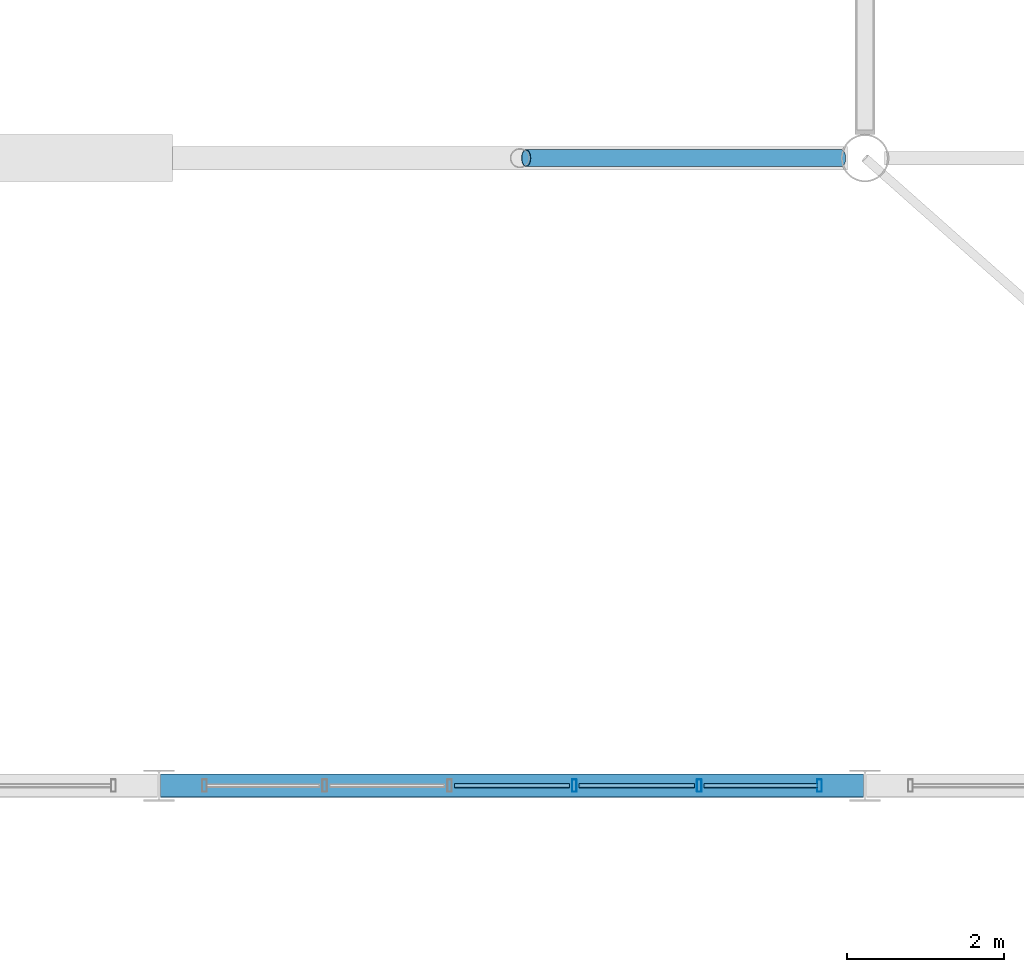
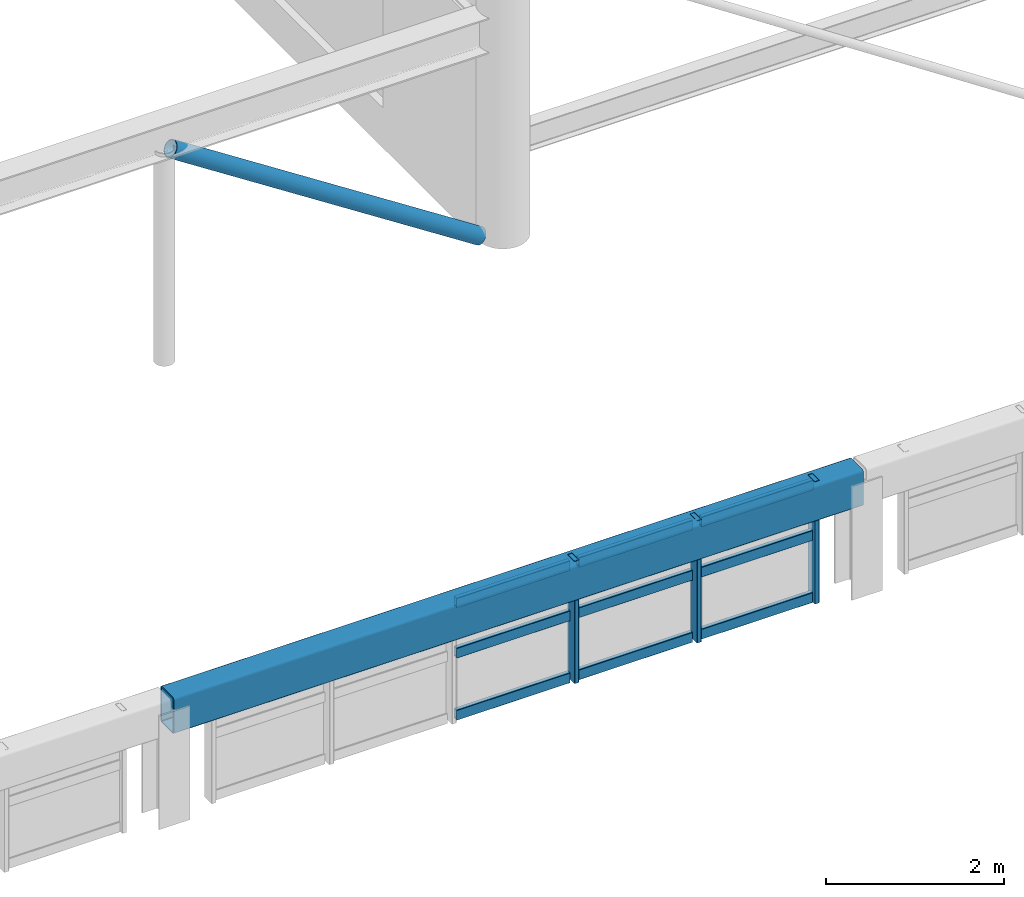
# One storey, part 17 of 128: 13 members, 1 beam, 1 element without a shape of its own.
"""IFC4 building model written with IfcOpenShell, lengths in metres."""

from ifc_helpers import new_model, si_unit, derived_unit, direction, frame, origin, origin_2d, place, context, subcontext, project, spatial, hollow_rectangle, hollow_circle, extrude, material, material_profile, profile_set, type_object, element, aggregate, save


model = new_model("IFC4")

# Units and contexts
model_context = context("Model", 3, precision=1e-05, world=origin(), true_north=direction((0.0, 1.0)))
body_context = subcontext(model_context, "Body", "Model", "MODEL_VIEW")
ifc_project = project(units=[si_unit("LENGTHUNIT", "METRE"), si_unit("AREAUNIT", "SQUARE_METRE"), si_unit("VOLUMEUNIT", "CUBIC_METRE"), si_unit("PLANEANGLEUNIT", "RADIAN"), si_unit("MASSUNIT", "GRAM", prefix="KILO"), derived_unit("THERMALTRANSMITTANCEUNIT", [(si_unit("MASSUNIT", "GRAM", prefix="KILO"), 1), (si_unit("TIMEUNIT", "SECOND"), -3), (si_unit("THERMODYNAMICTEMPERATUREUNIT", "KELVIN"), -1)])], contexts=[model_context])

# Site, building, storey
site_placement = place(None, origin())
site = spatial("IfcSite", under=ifc_project, at=site_placement, CompositionType="ELEMENT")
building_placement = place(site_placement, origin())
building = spatial("IfcBuilding", under=site, at=building_placement, Name="Zhenchuan Archway Interchange", CompositionType="ELEMENT")
storey_placement = place(building_placement, frame((0.0, 0.0, 14.39990234375)))
storey = spatial("IfcBuildingStorey", under=building, at=storey_placement, Name="L03", CompositionType="ELEMENT", Elevation=14.39990234375)

# Beam
ifc_material_1 = material(Name="Steel Q390", Category="steel")
ifc_material_profile_1 = material_profile(ifc_material_1, hollow_rectangle(XDim=0.300048828125, YDim=0.5, WallThickness=0.01611328125, InnerFilletRadius=0.01611328125, OuterFilletRadius=0.031982421875, at=origin_2d()), Name="RHS 500x300x16")
ifc_profile_set_1 = profile_set([ifc_material_profile_1], Name="Steel Q390")
beam_type = type_object("IfcBeamType", Name="BM_RING_RHS500", PredefinedType="BEAM", material=ifc_profile_set_1)
beam_placement = place(storey_placement, frame((54.02001953125, 24.0, 1.4501953125), z_axis=(1.0, 0.0, 0.0), x_axis=(0.0, 1.0, 0.0)))
element("IfcBeam", 1, at=beam_placement, inside=storey, type_object=beam_type, Name="CONCOURSE CABLE-NET RING BEAM S-4", PredefinedType="BEAM", context=body_context, shape_type="SweptSolid", body=[
    extrude(hollow_rectangle(XDim=0.300048828125, YDim=0.5, WallThickness=0.01611328125, InnerFilletRadius=0.01611328125, OuterFilletRadius=0.031982421875, at=origin_2d()), origin(), (0.0, 0.0, 1.0), 8.9599609375),
])

# Curtain wall, members
ifc_material_2 = material(Name="Anodised Aluminium", Category="aluminium")
curtain_wall_type = type_object("IfcCurtainWallType", Name="CW_UNIT_4", PredefinedType="NOTDEFINED", material=ifc_material_2)
curtain_wall_placement = place(storey_placement, origin())
curtain_wall = element("IfcCurtainWall", 2, at=curtain_wall_placement, inside=storey, type_object=curtain_wall_type, Name="Unitised curtain wall CW:L03:RING-S4", PredefinedType="NOTDEFINED")
ifc_material_profile_2 = material_profile(ifc_material_2, hollow_rectangle(XDim=0.06005859375, YDim=0.159912109375, WallThickness=0.00390625, InnerFilletRadius=0.00390625, OuterFilletRadius=0.008056640625, at=origin_2d()), Name="ALU 160x60x4")
ifc_profile_set_2 = profile_set([ifc_material_profile_2], Name="Anodised Aluminium")
member_type_1 = type_object("IfcMemberType", Name="CW_MUL_150", PredefinedType="MULLION", material=ifc_profile_set_2)
member_1_placement = place(storey_placement, frame((59.2958984375, 24.0, 0.02001953125), z_axis=(0.0, 0.0, 1.0), x_axis=(1.0, 0.0, 0.0)))
member_1 = element("IfcMember", 3, at=member_1_placement, type_object=member_type_1, Name="CW:L03:RING-S4 mullion 3", PredefinedType="MULLION", context=body_context, shape_type="SweptSolid", body=[
    extrude(hollow_rectangle(XDim=0.06005859375, YDim=0.159912109375, WallThickness=0.00390625, InnerFilletRadius=0.00390625, OuterFilletRadius=0.008056640625, at=origin_2d()), origin(), (0.0, 0.0, 1.0), 1.68017578125),
])
member_2_placement = place(storey_placement, frame((60.887939453125, 24.0, 0.02001953125), z_axis=(0.0, 0.0, 1.0), x_axis=(1.0, 0.0, 0.0)))
member_2 = element("IfcMember", 4, at=member_2_placement, type_object=member_type_1, Name="CW:L03:RING-S4 mullion 4", PredefinedType="MULLION", context=body_context, shape_type="SweptSolid", body=[
    extrude(hollow_rectangle(XDim=0.06005859375, YDim=0.159912109375, WallThickness=0.00390625, InnerFilletRadius=0.00390625, OuterFilletRadius=0.008056640625, at=origin_2d()), origin(), (0.0, 0.0, 1.0), 1.68017578125),
])
member_3_placement = place(storey_placement, frame((62.419921875, 24.0, 0.02001953125), z_axis=(0.0, 0.0, 1.0), x_axis=(1.0, 0.0, 0.0)))
member_3 = element("IfcMember", 5, at=member_3_placement, type_object=member_type_1, Name="CW:L03:RING-S4 mullion 5", PredefinedType="MULLION", context=body_context, shape_type="SweptSolid", body=[
    extrude(hollow_rectangle(XDim=0.06005859375, YDim=0.159912109375, WallThickness=0.00390625, InnerFilletRadius=0.00390625, OuterFilletRadius=0.008056640625, at=origin_2d()), origin(), (0.0, 0.0, 1.0), 1.68017578125),
])
ifc_material_profile_3 = material_profile(ifc_material_2, hollow_rectangle(XDim=0.06005859375, YDim=0.139892578125, WallThickness=0.00341796875, InnerFilletRadius=0.00341796875, OuterFilletRadius=0.007080078125, at=origin_2d()), Name="ALU 140x60x3.5")
ifc_profile_set_3 = profile_set([ifc_material_profile_3], Name="Anodised Aluminium")
member_type_2 = type_object("IfcMemberType", Name="CW_TRN_140", PredefinedType="USERDEFINED", material=ifc_profile_set_3)
member_4_placement = place(storey_placement, frame((57.763916015625, 24.0, 0.080078125), z_axis=(1.0, 0.0, 0.0), x_axis=(0.0, 1.0, 0.0)))
member_4 = element("IfcMember", 6, at=member_4_placement, type_object=member_type_2, Name="CW:L03:RING-S4 transom 2-1", ObjectType="TRANSOM", PredefinedType="USERDEFINED", context=body_context, shape_type="SweptSolid", body=[
    extrude(hollow_rectangle(XDim=0.06005859375, YDim=0.139892578125, WallThickness=0.00341796875, InnerFilletRadius=0.00341796875, OuterFilletRadius=0.007080078125, at=origin_2d()), origin(), (0.0, 0.0, 1.0), 1.47216796875),
])
member_5_placement = place(storey_placement, frame((57.763916015625, 24.0, 0.93310546875), z_axis=(1.0, 0.0, 0.0), x_axis=(0.0, 1.0, 0.0)))
member_5 = element("IfcMember", 7, at=member_5_placement, type_object=member_type_2, Name="CW:L03:RING-S4 transom 2-2", ObjectType="TRANSOM", PredefinedType="USERDEFINED", context=body_context, shape_type="SweptSolid", body=[
    extrude(hollow_rectangle(XDim=0.06005859375, YDim=0.139892578125, WallThickness=0.00341796875, InnerFilletRadius=0.00341796875, OuterFilletRadius=0.007080078125, at=origin_2d()), origin(), (0.0, 0.0, 1.0), 1.47216796875),
])
member_6_placement = place(storey_placement, frame((57.763916015625, 24.0, 1.6201171875), z_axis=(1.0, 0.0, 0.0), x_axis=(0.0, 1.0, 0.0)))
member_6 = element("IfcMember", 8, at=member_6_placement, type_object=member_type_2, Name="CW:L03:RING-S4 transom 2-3", ObjectType="TRANSOM", PredefinedType="USERDEFINED", context=body_context, shape_type="SweptSolid", body=[
    extrude(hollow_rectangle(XDim=0.06005859375, YDim=0.139892578125, WallThickness=0.00341796875, InnerFilletRadius=0.00341796875, OuterFilletRadius=0.007080078125, at=origin_2d()), origin(), (0.0, 0.0, 1.0), 1.47216796875),
])
member_7_placement = place(storey_placement, frame((59.35595703125, 24.0, 0.080078125), z_axis=(1.0, 0.0, 0.0), x_axis=(0.0, 1.0, 0.0)))
member_7 = element("IfcMember", 9, at=member_7_placement, type_object=member_type_2, Name="CW:L03:RING-S4 transom 3-1", ObjectType="TRANSOM", PredefinedType="USERDEFINED", context=body_context, shape_type="SweptSolid", body=[
    extrude(hollow_rectangle(XDim=0.06005859375, YDim=0.139892578125, WallThickness=0.00341796875, InnerFilletRadius=0.00341796875, OuterFilletRadius=0.007080078125, at=origin_2d()), origin(), (0.0, 0.0, 1.0), 1.471923828125),
])
member_8_placement = place(storey_placement, frame((59.35595703125, 24.0, 0.93310546875), z_axis=(1.0, 0.0, 0.0), x_axis=(0.0, 1.0, 0.0)))
member_8 = element("IfcMember", 10, at=member_8_placement, type_object=member_type_2, Name="CW:L03:RING-S4 transom 3-2", ObjectType="TRANSOM", PredefinedType="USERDEFINED", context=body_context, shape_type="SweptSolid", body=[
    extrude(hollow_rectangle(XDim=0.06005859375, YDim=0.139892578125, WallThickness=0.00341796875, InnerFilletRadius=0.00341796875, OuterFilletRadius=0.007080078125, at=origin_2d()), origin(), (0.0, 0.0, 1.0), 1.471923828125),
])
member_9_placement = place(storey_placement, frame((59.35595703125, 24.0, 1.6201171875), z_axis=(1.0, 0.0, 0.0), x_axis=(0.0, 1.0, 0.0)))
member_9 = element("IfcMember", 11, at=member_9_placement, type_object=member_type_2, Name="CW:L03:RING-S4 transom 3-3", ObjectType="TRANSOM", PredefinedType="USERDEFINED", context=body_context, shape_type="SweptSolid", body=[
    extrude(hollow_rectangle(XDim=0.06005859375, YDim=0.139892578125, WallThickness=0.00341796875, InnerFilletRadius=0.00341796875, OuterFilletRadius=0.007080078125, at=origin_2d()), origin(), (0.0, 0.0, 1.0), 1.471923828125),
])
member_10_placement = place(storey_placement, frame((60.947998046875, 24.0, 0.080078125), z_axis=(1.0, 0.0, 0.0), x_axis=(0.0, 1.0, 0.0)))
member_10 = element("IfcMember", 12, at=member_10_placement, type_object=member_type_2, Name="CW:L03:RING-S4 transom 4-1", ObjectType="TRANSOM", PredefinedType="USERDEFINED", context=body_context, shape_type="SweptSolid", body=[
    extrude(hollow_rectangle(XDim=0.06005859375, YDim=0.139892578125, WallThickness=0.00341796875, InnerFilletRadius=0.00341796875, OuterFilletRadius=0.007080078125, at=origin_2d()), origin(), (0.0, 0.0, 1.0), 1.451904296875),
])
member_11_placement = place(storey_placement, frame((60.947998046875, 24.0, 0.93310546875), z_axis=(1.0, 0.0, 0.0), x_axis=(0.0, 1.0, 0.0)))
member_11 = element("IfcMember", 13, at=member_11_placement, type_object=member_type_2, Name="CW:L03:RING-S4 transom 4-2", ObjectType="TRANSOM", PredefinedType="USERDEFINED", context=body_context, shape_type="SweptSolid", body=[
    extrude(hollow_rectangle(XDim=0.06005859375, YDim=0.139892578125, WallThickness=0.00341796875, InnerFilletRadius=0.00341796875, OuterFilletRadius=0.007080078125, at=origin_2d()), origin(), (0.0, 0.0, 1.0), 1.451904296875),
])
member_12_placement = place(storey_placement, frame((60.947998046875, 24.0, 1.6201171875), z_axis=(1.0, 0.0, 0.0), x_axis=(0.0, 1.0, 0.0)))
member_12 = element("IfcMember", 14, at=member_12_placement, type_object=member_type_2, Name="CW:L03:RING-S4 transom 4-3", ObjectType="TRANSOM", PredefinedType="USERDEFINED", context=body_context, shape_type="SweptSolid", body=[
    extrude(hollow_rectangle(XDim=0.06005859375, YDim=0.139892578125, WallThickness=0.00341796875, InnerFilletRadius=0.00341796875, OuterFilletRadius=0.007080078125, at=origin_2d()), origin(), (0.0, 0.0, 1.0), 1.451904296875),
])
aggregate(curtain_wall, [member_1, member_2, member_3, member_4, member_5, member_6, member_7, member_8, member_9, member_10, member_11, member_12])

# Member
ifc_material_3 = material(Name="Steel Q355", Category="steel")
ifc_material_profile_4 = material_profile(ifc_material_3, hollow_circle(Radius=0.109619140625, WallThickness=0.008056640625, at=origin_2d()), Name="CHS 219x8")
ifc_profile_set_4 = profile_set([ifc_material_profile_4], Name="Steel Q355")
member_type_3 = type_object("IfcMemberType", Name="MB_CHS219", PredefinedType="BRACE", material=ifc_profile_set_4)
member_13_placement = place(storey_placement, frame((62.695068359375, 32.0, 0.075439453125), z_axis=(-0.83893044291, 0.0, 0.544238653496), x_axis=(0.0, -1.0, 0.0)))
element("IfcMember", 15, at=member_13_placement, inside=storey, type_object=member_type_3, Name="ROOF TRUSS concourse arch A1 east spandrel diagonal", PredefinedType="BRACE", context=body_context, shape_type="SweptSolid", body=[
    extrude(hollow_circle(Radius=0.109619140625, WallThickness=0.008056640625, at=origin_2d()), origin(), (0.0, 0.0, 1.0), 4.7861328125),
])

save(model, "model.ifc")
